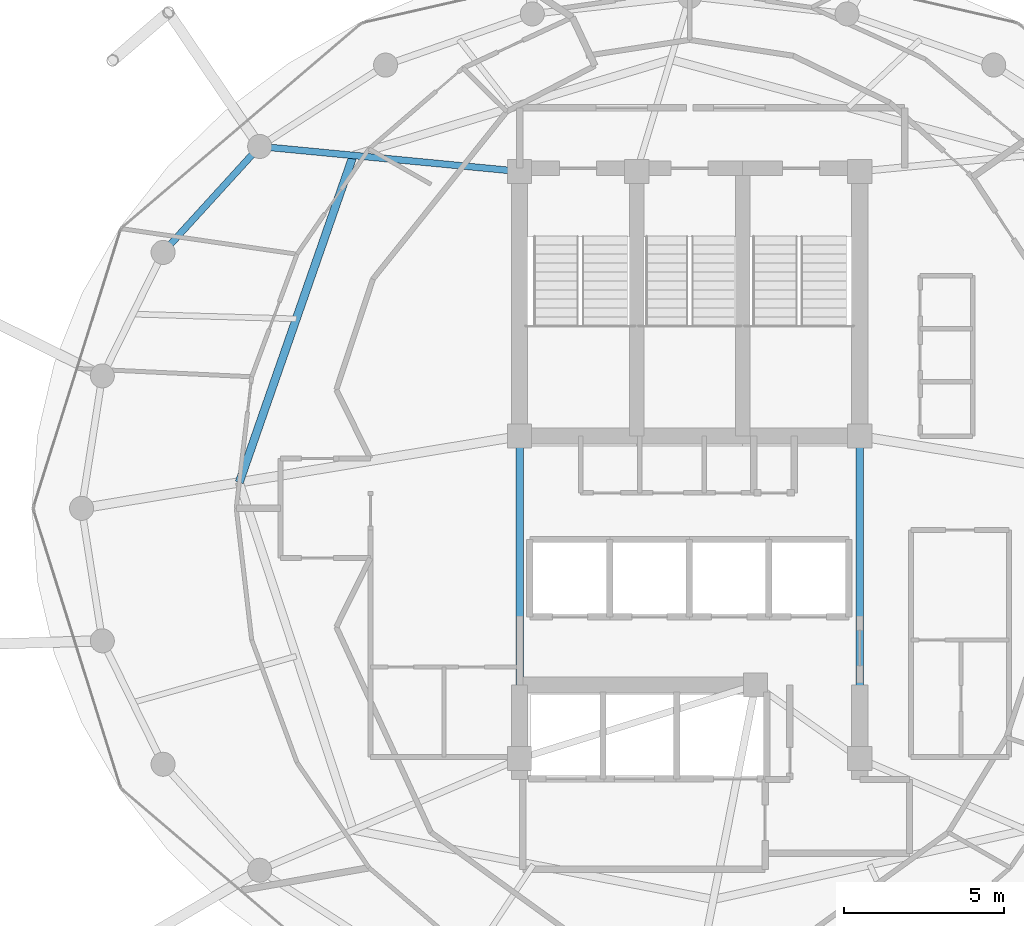
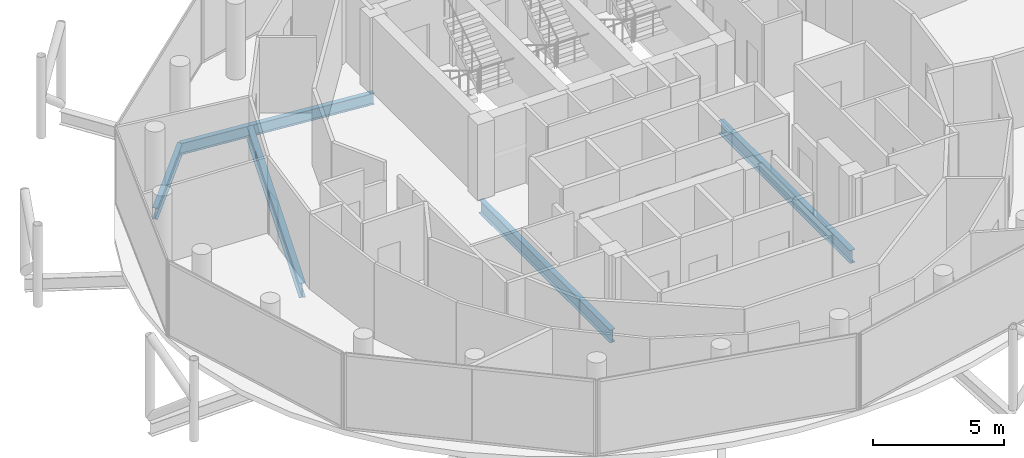
# One storey, part 8 of 24: 5 beams.
"""IFC4 building model written with IfcOpenShell, lengths in metres."""

from ifc_helpers import new_model, si_unit, direction, frame, origin, origin_2d, place, context, subcontext, project, spatial, i_section, extrude, material, material_profile, profile_set, type_object, element, save


model = new_model("IFC4")

# Units and contexts
model_context = context("Model", 3, precision=1e-05, world=origin(), true_north=direction((0.0, 1.0)))
body_context = subcontext(model_context, "Body", "Model", "MODEL_VIEW")
ifc_project = project(units=[si_unit("LENGTHUNIT", "METRE"), si_unit("AREAUNIT", "SQUARE_METRE"), si_unit("VOLUMEUNIT", "CUBIC_METRE"), si_unit("PLANEANGLEUNIT", "RADIAN"), si_unit("MASSUNIT", "GRAM", prefix="KILO")], contexts=[model_context])

# Site, building, storey
site_placement = place(None, origin())
site = spatial("IfcSite", under=ifc_project, at=site_placement, CompositionType="ELEMENT")
building_placement = place(site_placement, origin())
building = spatial("IfcBuilding", under=site, at=building_placement, Name="Nuhasar Tower", CompositionType="ELEMENT")
storey_placement = place(building_placement, frame((0.0, 0.0, 263.199951171875)))
storey = spatial("IfcBuildingStorey", under=building, at=storey_placement, Name="L65", CompositionType="ELEMENT", Elevation=263.199951171875)

# Beams
ifc_material = material(Name="Steel S355", Category="steel")
ifc_material_profile_1 = material_profile(ifc_material, i_section(OverallWidth=0.25390625, OverallDepth=0.68408203125, WebThickness=0.012451171875, FlangeThickness=0.018798828125, at=origin_2d()), Name="W27X94")
ifc_profile_set_1 = profile_set([ifc_material_profile_1], Name="Steel S355")
beam_type_1 = type_object("IfcBeamType", Name="BM-INRING-W27X94", PredefinedType="BEAM", material=ifc_profile_set_1)
beam_1_placement = place(storey_placement, frame((28.51611328125, 37.798095703125, -0.60205078125), z_axis=(-0.329211236979, -0.944256300718, 0.0), x_axis=(0.944256300718, -0.329211236979, 0.0)))
element("IfcBeam", 1, at=beam_1_placement, inside=storey, type_object=beam_type_1, Name="L65 Inner Header Beam 07", PredefinedType="BEAM", context=body_context, shape_type="SweptSolid", body=[
    extrude(i_section(OverallWidth=0.25390625, OverallDepth=0.68408203125, WebThickness=0.012451171875, FlangeThickness=0.018798828125, at=origin_2d()), origin(), (0.0, 0.0, 1.0), 10.78955078125),
])
ifc_material_profile_2 = material_profile(ifc_material, i_section(OverallWidth=0.208984375, OverallDepth=0.528076171875, WebThickness=0.009521484375, FlangeThickness=0.01318359375, at=origin_2d()), Name="W21X55")
ifc_profile_set_2 = profile_set([ifc_material_profile_2], Name="Steel S355")
beam_type_2 = type_object("IfcBeamType", Name="BM-RAD-W21X55", PredefinedType="BEAM", material=ifc_profile_set_2)
beam_2_placement = place(storey_placement, frame((33.699951171875, 37.300048828125, -0.52392578125), z_axis=(-0.99542073054, 0.095590633496, 0.0), x_axis=(-0.095590633496, -0.99542073054, 0.0)))
element("IfcBeam", 2, at=beam_2_placement, inside=storey, type_object=beam_type_2, Name="L65 Radial Floor Girder 07", PredefinedType="BEAM", context=body_context, shape_type="SweptSolid", body=[
    extrude(i_section(OverallWidth=0.208984375, OverallDepth=0.528076171875, WebThickness=0.009521484375, FlangeThickness=0.01318359375, at=origin_2d()), origin(), (0.0, 0.0, 1.0), 8.13720703125),
])
ifc_material_profile_3 = material_profile(ifc_material, i_section(OverallWidth=0.22900390625, OverallDepth=0.612060546875, WebThickness=0.011962890625, FlangeThickness=0.01953125, at=origin_2d()), Name="W24X84")
ifc_profile_set_3 = profile_set([ifc_material_profile_3], Name="Steel S355")
beam_type_3 = type_object("IfcBeamType", Name="BM-RAD-W24X84", PredefinedType="BEAM", material=ifc_profile_set_3)
for number, where, z_axis, x_axis, name in (
    (3, (44.300048828125, 19.0, -0.56591796875), (0.0, 1.0, 0.0), (-1.0, 0.0, 0.0), "L65 Core Ring Girder 3"),
    (4, (33.699951171875, 29.050048828125, -0.56591796875), (0.0, -1.0, 0.0), (1.0, 0.0, 0.0), "L65 Core Ring Girder 8"),
):
    element("IfcBeam", number, at=place(storey_placement, frame(where, z_axis=z_axis, x_axis=x_axis)), inside=storey, type_object=beam_type_3, Name=name, PredefinedType="BEAM", context=body_context, shape_type="SweptSolid", body=[
        extrude(i_section(OverallWidth=0.22900390625, OverallDepth=0.612060546875, WebThickness=0.011962890625, FlangeThickness=0.01953125, at=origin_2d()), origin(), (0.0, 0.0, 1.0), 10.050048828125),
    ])
ifc_material_profile_4 = material_profile(ifc_material, i_section(OverallWidth=0.2099609375, OverallDepth=0.537109375, WebThickness=0.010986328125, FlangeThickness=0.017333984375, at=origin_2d()), Name="W21X68")
ifc_profile_set_4 = profile_set([ifc_material_profile_4], Name="Steel S355")
beam_type_4 = type_object("IfcBeamType", Name="BM-RING-W21X68", PredefinedType="SPANDREL", material=ifc_profile_set_4)
beam_3_placement = place(storey_placement, frame((25.60009765625, 38.077880859375, -0.529052734375), z_axis=(-0.673686302939, -0.739017432293, 0.0), x_axis=(0.739017432293, -0.673686302939, 0.0)))
element("IfcBeam", 5, at=beam_3_placement, inside=storey, type_object=beam_type_4, Name="L65 Perimeter Ring Spandrel 10", PredefinedType="SPANDREL", context=body_context, shape_type="SweptSolid", body=[
    extrude(i_section(OverallWidth=0.2099609375, OverallDepth=0.537109375, WebThickness=0.010986328125, FlangeThickness=0.017333984375, at=origin_2d()), origin(), (0.0, 0.0, 1.0), 4.469482421875),
])

save(model, "model.ifc")
